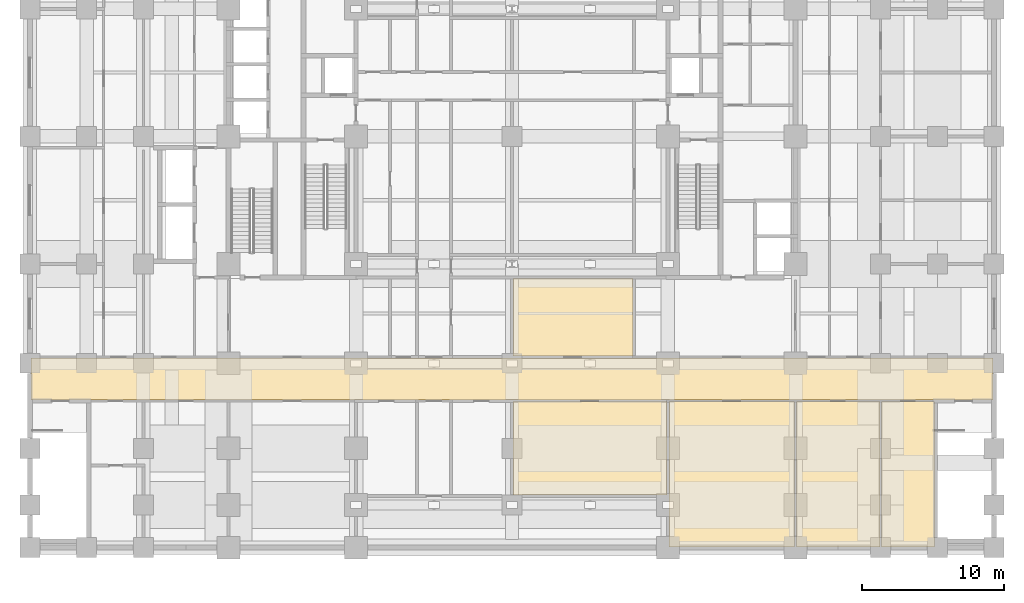
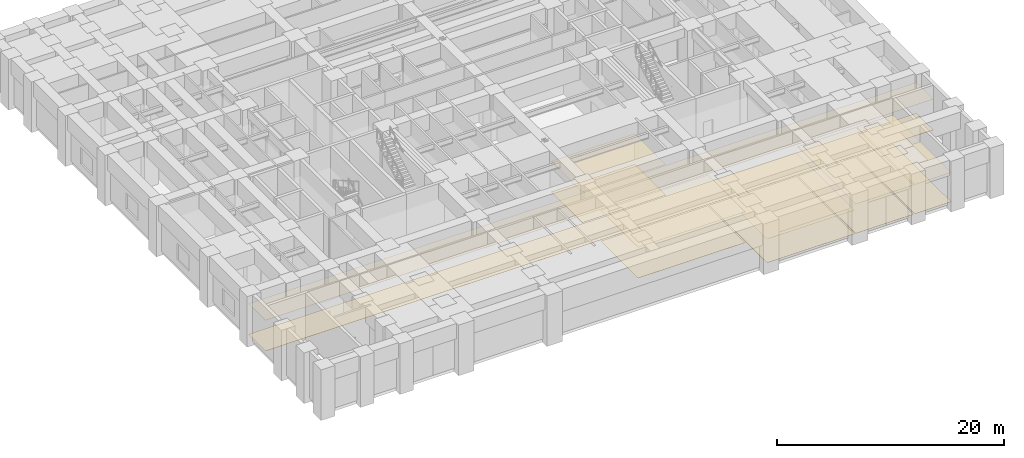
# One storey, part 19 of 22: 12 coverings.
"""IFC4 building model written with IfcOpenShell, lengths in metres."""

from ifc_helpers import new_model, si_unit, direction, frame, origin, place, context, subcontext, project, spatial, polyline, outline, extrude, material, layer, layer_set, type_object, element, save


model = new_model("IFC4")

# Units and contexts
model_context = context("Model", 3, precision=1e-05, world=origin(), true_north=direction((0.0, 1.0)))
body_context = subcontext(model_context, "Body", "Model", "MODEL_VIEW")
ifc_project = project(units=[si_unit("LENGTHUNIT", "METRE"), si_unit("AREAUNIT", "SQUARE_METRE"), si_unit("VOLUMEUNIT", "CUBIC_METRE"), si_unit("PLANEANGLEUNIT", "RADIAN"), si_unit("MASSUNIT", "GRAM", prefix="KILO")], contexts=[model_context])

# Site, building, storey
site_placement = place(None, origin())
site = spatial("IfcSite", under=ifc_project, at=site_placement, CompositionType="ELEMENT")
building_placement = place(site_placement, origin())
building = spatial("IfcBuilding", under=site, at=building_placement, Name="Zulmaris Gate Convention Tower", CompositionType="ELEMENT")
storey_placement = place(building_placement, frame((0.0, 0.0, 21.760009765625)))
storey = spatial("IfcBuildingStorey", under=building, at=storey_placement, Name="L04", CompositionType="ELEMENT", Elevation=21.760009765625)

# Coverings
ifc_material_1 = material(Name="Mineral Fibre Acoustic Ceiling Tile")
ifc_layer_1 = layer(ifc_material_1, 0.02001953125, Name="Mineral Fibre Acoustic Ceiling Tile")
ifc_layer_set_1 = layer_set([ifc_layer_1], Name="Mineral Fibre Acoustic Ceiling Tile")
covering_type_1 = type_object("IfcCoveringType", Name="CLG-ACOUSTIC-600", PredefinedType="CEILING", material=ifc_layer_set_1)
covering_1_placement = place(storey_placement, frame((0.0, 0.0, 3.300048828125)))
element("IfcCovering", 1, at=covering_1_placement, inside=storey, type_object=covering_type_1, Name="CLG-L04-R49", PredefinedType="CEILING", context=body_context, shape_type="SweptSolid", body=[
    extrude(outline(polyline([(-33.93994140625, -18.590087890625), (33.93994140625, -18.590087890625), (33.93994140625, -15.610107421875), (-33.93994140625, -15.610107421875), (-33.93994140625, -18.590087890625)])), origin(), (0.0, 0.0, 1.0), 0.02001953125),
])
covering_2_placement = place(storey_placement, frame((0.0, 0.0, 2.550048828125)))
element("IfcCovering", 2, at=covering_2_placement, inside=storey, type_object=covering_type_1, Name="CLG-L04-R84", PredefinedType="CEILING", context=body_context, shape_type="SweptSolid", body=[
    extrude(outline(polyline([(11.06005859375, -28.93994140625), (19.93994140625, -28.93994140625), (19.93994140625, -18.7099609375), (11.06005859375, -18.7099609375), (11.06005859375, -28.93994140625)])), origin(), (0.0, 0.0, 1.0), 0.02001953125),
])
covering_3_placement = place(storey_placement, frame((0.0, 0.0, 3.14990234375)))
element("IfcCovering", 3, at=covering_3_placement, inside=storey, type_object=covering_type_1, Name="CLG-L04-R85", PredefinedType="CEILING", context=body_context, shape_type="SweptSolid", body=[
    extrude(outline(polyline([(20.06005859375, -28.93994140625), (25.93994140625, -28.93994140625), (25.93994140625, -18.7099609375), (20.06005859375, -18.7099609375), (20.06005859375, -28.93994140625)])), origin(), (0.0, 0.0, 1.0), 0.02001953125),
])
covering_4_placement = place(storey_placement, frame((0.0, 0.0, 3.14990234375)))
element("IfcCovering", 4, at=covering_4_placement, inside=storey, type_object=covering_type_1, Name="CLG-L04-R86", PredefinedType="CEILING", context=body_context, shape_type="SweptSolid", body=[
    extrude(outline(polyline([(26.06005859375, -28.93994140625), (29.7900390625, -28.93994140625), (29.7900390625, -18.7099609375), (26.06005859375, -18.7099609375), (26.06005859375, -28.93994140625)])), origin(), (0.0, 0.0, 1.0), 0.02001953125),
])
covering_5_placement = place(storey_placement, frame((0.0, 0.0, 3.300048828125)))
element("IfcCovering", 5, at=covering_5_placement, inside=storey, type_object=covering_type_1, Name="CLG-L04-R91", PredefinedType="CEILING", context=body_context, shape_type="SweptSolid", body=[
    extrude(outline(polyline([(0.06005859375, -25.2900390625), (10.93994140625, -25.2900390625), (10.93994140625, -18.7099609375), (0.06005859375, -18.7099609375), (0.06005859375, -25.2900390625)])), origin(), (0.0, 0.0, 1.0), 0.02001953125),
])
covering_6_placement = place(storey_placement, frame((0.0, 0.0, 3.300048828125)))
element("IfcCovering", 6, at=covering_6_placement, inside=storey, type_object=covering_type_1, Name="CLG-L04-R96", PredefinedType="CEILING", context=body_context, shape_type="SweptSolid", body=[
    extrude(outline(polyline([(0.06005859375, -15.489990234375), (8.5400390625, -15.489990234375), (8.5400390625, -10.010009765625), (0.06005859375, -10.010009765625), (0.06005859375, -15.489990234375)])), origin(), (0.0, 0.0, 1.0), 0.02001953125),
])
ifc_material_2 = material(Name="Woven Acoustic Wool Carpet Tile")
ifc_layer_2 = layer(ifc_material_2, 0.02001953125, Name="Woven Acoustic Wool Carpet Tile")
ifc_layer_set_2 = layer_set([ifc_layer_2], Name="Woven Acoustic Wool Carpet Tile")
covering_type_2 = type_object("IfcCoveringType", Name="FLR-CARPET-12", PredefinedType="FLOORING", material=ifc_layer_set_2)
covering_7_placement = place(storey_placement, origin())
element("IfcCovering", 7, at=covering_7_placement, inside=storey, type_object=covering_type_2, Name="FLR-L04-R49", PredefinedType="FLOORING", context=body_context, shape_type="SweptSolid", body=[
    extrude(outline(polyline([(-33.93994140625, -18.590087890625), (33.93994140625, -18.590087890625), (33.93994140625, -15.610107421875), (-33.93994140625, -15.610107421875), (-33.93994140625, -18.590087890625)])), origin(), (0.0, 0.0, 1.0), 0.02001953125),
])
covering_8_placement = place(storey_placement, origin())
element("IfcCovering", 8, at=covering_8_placement, inside=storey, type_object=covering_type_2, Name="FLR-L04-R86", PredefinedType="FLOORING", context=body_context, shape_type="SweptSolid", body=[
    extrude(outline(polyline([(26.06005859375, -28.93994140625), (29.7900390625, -28.93994140625), (29.7900390625, -18.7099609375), (26.06005859375, -18.7099609375), (26.06005859375, -28.93994140625)])), origin(), (0.0, 0.0, 1.0), 0.02001953125),
])
ifc_material_3 = material(Name="Polished Granite Terrazzo Tile", Category="masonry")
ifc_layer_3 = layer(ifc_material_3, 0.02001953125, Name="Polished Granite Terrazzo Tile")
ifc_layer_set_3 = layer_set([ifc_layer_3], Name="Polished Granite Terrazzo Tile")
covering_type_3 = type_object("IfcCoveringType", Name="FLR-TERRAZZO-30", PredefinedType="FLOORING", material=ifc_layer_set_3)
covering_9_placement = place(storey_placement, origin())
element("IfcCovering", 9, at=covering_9_placement, inside=storey, type_object=covering_type_3, Name="FLR-L04-R84", PredefinedType="FLOORING", context=body_context, shape_type="SweptSolid", body=[
    extrude(outline(polyline([(11.06005859375, -28.93994140625), (19.93994140625, -28.93994140625), (19.93994140625, -18.7099609375), (11.06005859375, -18.7099609375), (11.06005859375, -28.93994140625)])), origin(), (0.0, 0.0, 1.0), 0.02001953125),
])
covering_10_placement = place(storey_placement, origin())
element("IfcCovering", 10, at=covering_10_placement, inside=storey, type_object=covering_type_3, Name="FLR-L04-R91", PredefinedType="FLOORING", context=body_context, shape_type="SweptSolid", body=[
    extrude(outline(polyline([(0.06005859375, -25.2900390625), (10.93994140625, -25.2900390625), (10.93994140625, -18.7099609375), (0.06005859375, -18.7099609375), (0.06005859375, -25.2900390625)])), origin(), (0.0, 0.0, 1.0), 0.02001953125),
])
ifc_material_4 = material(Name="Engineered Teak Parquet Flooring")
ifc_layer_4 = layer(ifc_material_4, 0.02001953125, Name="Engineered Teak Parquet Flooring")
ifc_layer_set_4 = layer_set([ifc_layer_4], Name="Engineered Teak Parquet Flooring")
covering_type_4 = type_object("IfcCoveringType", Name="FLR-TIMBER-18", PredefinedType="FLOORING", material=ifc_layer_set_4)
covering_11_placement = place(storey_placement, origin())
element("IfcCovering", 11, at=covering_11_placement, inside=storey, type_object=covering_type_4, Name="FLR-L04-R85", PredefinedType="FLOORING", context=body_context, shape_type="SweptSolid", body=[
    extrude(outline(polyline([(20.06005859375, -28.93994140625), (25.93994140625, -28.93994140625), (25.93994140625, -18.7099609375), (20.06005859375, -18.7099609375), (20.06005859375, -28.93994140625)])), origin(), (0.0, 0.0, 1.0), 0.02001953125),
])
covering_12_placement = place(storey_placement, origin())
element("IfcCovering", 12, at=covering_12_placement, inside=storey, type_object=covering_type_4, Name="FLR-L04-R96", PredefinedType="FLOORING", context=body_context, shape_type="SweptSolid", body=[
    extrude(outline(polyline([(0.06005859375, -15.489990234375), (8.5400390625, -15.489990234375), (8.5400390625, -10.010009765625), (0.06005859375, -10.010009765625), (0.06005859375, -15.489990234375)])), origin(), (0.0, 0.0, 1.0), 0.02001953125),
])

save(model, "model.ifc")
